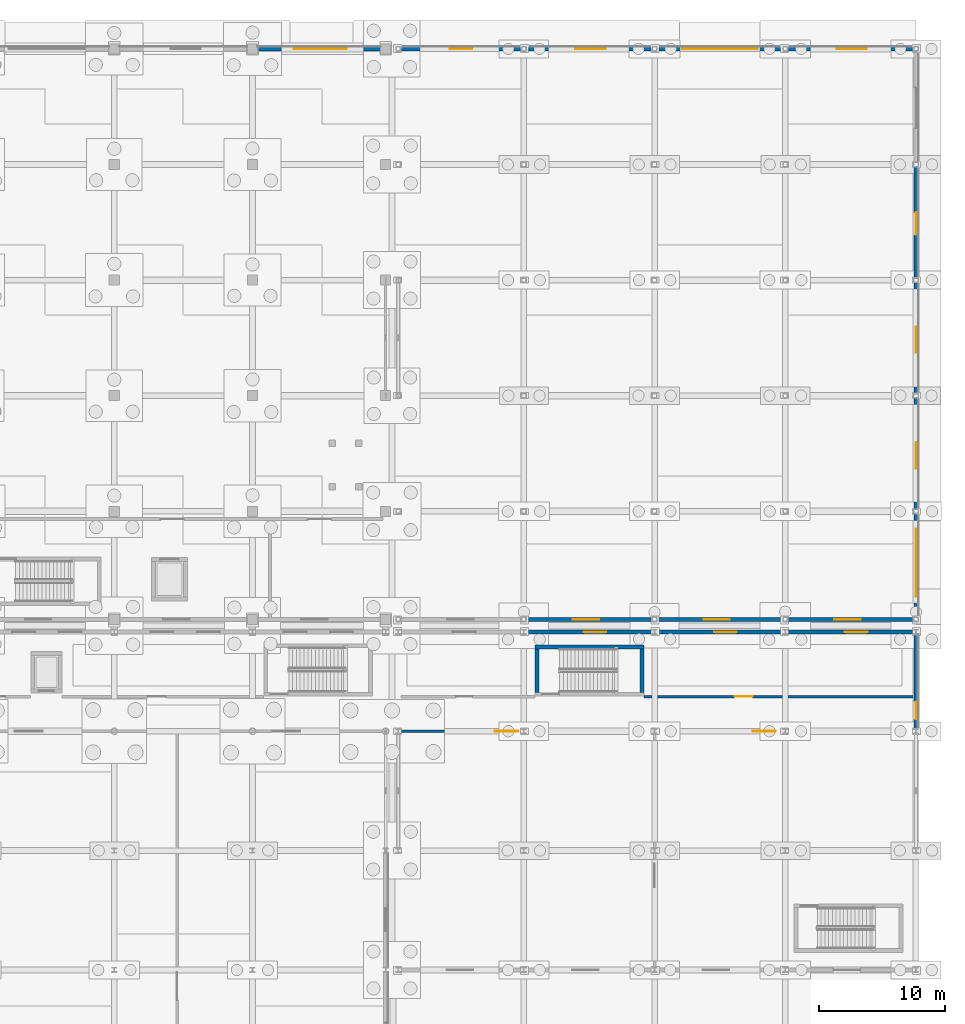
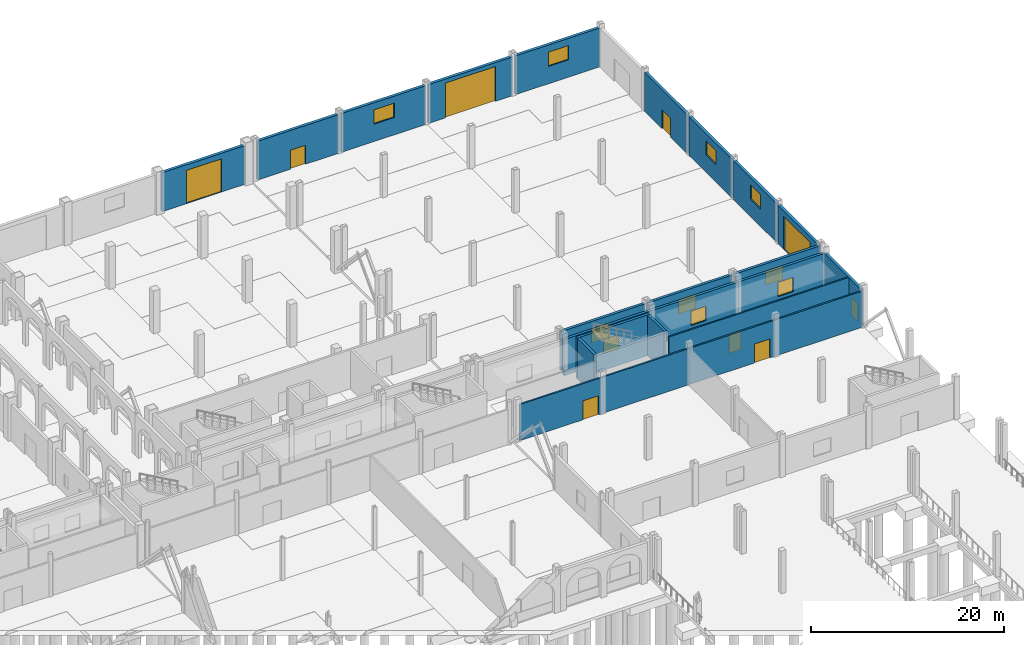
# One storey, part 62 of 83: 21 walls, 10 windows, 9 doors, 19 openings.
"""IFC4 building model written with IfcOpenShell, lengths in metres."""

from ifc_helpers import new_model, si_unit, direction, frame, frame_2d, origin, place, context, subcontext, project, spatial, rectangle, extrude, material, layer, layer_set, type_object, element, fill, save


model = new_model("IFC4")

# Units and contexts
model_context = context("Model", 3, precision=1e-05, world=origin(), true_north=direction((0.0, 1.0)))
body_context = subcontext(model_context, "Body", "Model", "MODEL_VIEW")
ifc_project = project(units=[si_unit("LENGTHUNIT", "METRE"), si_unit("AREAUNIT", "SQUARE_METRE"), si_unit("VOLUMEUNIT", "CUBIC_METRE"), si_unit("PLANEANGLEUNIT", "RADIAN"), si_unit("MASSUNIT", "GRAM", prefix="KILO")], contexts=[model_context])

# Site, building, storey
site_placement = place(None, origin())
site = spatial("IfcSite", under=ifc_project, at=site_placement, CompositionType="ELEMENT")
building_placement = place(site_placement, origin())
building = spatial("IfcBuilding", under=site, at=building_placement, Name="Caurita Quay Ferry Terminal", CompositionType="ELEMENT")
storey_placement = place(building_placement, origin())
storey = spatial("IfcBuildingStorey", under=building, at=storey_placement, Name="L00", CompositionType="ELEMENT", Elevation=0.0)

# Walls
ifc_material_1 = material(Name="Reinforced concrete C35/45", Category="concrete")
ifc_layer_1 = layer(ifc_material_1, 0.300048828125, Name="Interior shear wall 300 mm")
ifc_layer_set_1 = layer_set([ifc_layer_1], Name="Reinforced concrete C35/45")
wall_type_1 = type_object("IfcWallType", Name="WL-CORE-300", PredefinedType="SHEAR", material=ifc_layer_set_1)
wall_1_placement = place(storey_placement, frame((152.35009765625, 69.409912109375, 0.0), z_axis=(0.0, 0.0, 1.0), x_axis=(-1.0, 0.0, 0.0)))
element("IfcWall", 1, at=wall_1_placement, inside=storey, type_object=wall_type_1, Name="L00 ST-10 Core Wall North", PredefinedType="SHEAR", context=body_context, shape_type="SweptSolid", body=[
    extrude(rectangle(XDim=8.650146484375, YDim=0.300048828125, at=frame_2d((4.3251953125, 0.0))), origin(), (0.0, 0.0, 1.0), 5.1650390625),
])
for number, where, z_axis, x_axis, name in (
    (2, (143.85009765625, 69.260009765625, 0.0), (0.0, 0.0, 1.0), (0.0, -1.0, 0.0), "L00 ST-10 Core Wall West"),
    (3, (152.199951171875, 65.800048828125, 0.0), (0.0, 0.0, 1.0), (0.0, 1.0, 0.0), "L00 ST-10 Core Wall East"),
):
    element("IfcWall", number, at=place(storey_placement, frame(where, z_axis=z_axis, x_axis=x_axis)), inside=storey, type_object=wall_type_1, Name=name, PredefinedType="SHEAR", context=body_context, shape_type="SweptSolid", body=[
        extrude(rectangle(XDim=3.4599609375, YDim=0.300048828125, at=frame_2d((1.72998046875, 0.0))), origin(), (0.0, 0.0, 1.0), 5.1650390625),
    ])

# Wall, openings, doors
ifc_material_2 = material(Name="Warm-white lime stucco masonry", Category="masonry")
ifc_layer_2 = layer(ifc_material_2, 0.199951171875, Name="Interior partitioning wall 200 mm")
ifc_layer_set_2 = layer_set([ifc_layer_2], Name="Warm-white lime stucco masonry")
wall_type_2 = type_object("IfcWallType", Name="WL-CORR-200", PredefinedType="PARTITIONING", material=ifc_layer_set_2)
wall_2_placement = place(storey_placement, frame((132.990478515625, 62.699951171875, 0.0), z_axis=(0.0, 0.0, 1.0), x_axis=(1.0, 0.0, 0.0)))
wall_2 = element("IfcWall", 4, at=wall_2_placement, inside=storey, type_object=wall_type_2, Name="L00 Interior Partition IW-L00-016", PredefinedType="PARTITIONING", context=body_context, shape_type="SweptSolid", body=[
    extrude(rectangle(XDim=40.819091796875, YDim=0.199951171875, at=frame_2d((20.40966796875, 0.0))), origin(), (0.0, 0.0, 1.0), 4.55810546875),
])
opening_1_placement = place(wall_2_placement, frame((7.509521484375, 0.0, 0.0)))
opening_1 = element("IfcOpeningElement", 5, at=opening_1_placement, cuts=wall_2, Name="Opening PD-01", PredefinedType="OPENING", context=body_context, shape_type="SweptSolid", body=[
    extrude(rectangle(XDim=1.85009765625, YDim=2.39990234375, at=frame_2d((0.925048828125, 1.199951171875))), frame((0.0, 0.10986328125, 0.0), z_axis=(0.0, -1.0, 0.0), x_axis=(1.0, 0.0, 0.0)), (0.0, 0.0, 1.0), 0.219970703125),
])
opening_2_placement = place(wall_2_placement, frame((28.009521484375, 0.0, 0.0)))
opening_2 = element("IfcOpeningElement", 6, at=opening_2_placement, cuts=wall_2, Name="Opening PD-01", PredefinedType="OPENING", context=body_context, shape_type="SweptSolid", body=[
    extrude(rectangle(XDim=1.85009765625, YDim=2.39990234375, at=frame_2d((0.925048828125, 1.199951171875))), frame((0.0, 0.10986328125, 0.0), z_axis=(0.0, -1.0, 0.0), x_axis=(1.0, 0.0, 0.0)), (0.0, 0.0, 1.0), 0.219970703125),
])
ifc_material_3 = material(Name="Anodized aluminium 6063-T6", Category="aluminium")
door_type_1 = type_object("IfcDoorType", Name="DR-PL-1800", OperationType="NOTDEFINED", PredefinedType="DOOR", material=ifc_material_3)
door_1_placement = place(opening_1_placement, frame((1.85009765625, 0.0, 0.0), z_axis=(0.0, 0.0, 1.0), x_axis=(-1.0, 0.0, 0.0)))
door_1 = element("IfcDoor", 7, at=door_1_placement, inside=storey, type_object=door_type_1, Name="Berth Transfer Corridor Door", OperationType="SINGLE_SWING_RIGHT", OverallHeight=2.39990234375, OverallWidth=1.85009765625, PredefinedType="DOOR", context=body_context, shape_type="SweptSolid", body=[
    extrude(rectangle(XDim=1.85009765625, YDim=2.39990234375, at=frame_2d((0.925048828125, 1.199951171875))), frame((0.0, 0.02490234375, 0.0), z_axis=(0.0, -1.0, 0.0), x_axis=(1.0, 0.0, 0.0)), (0.0, 0.0, 1.0), 0.050048828125),
])
fill(opening_1, door_1)
door_2_placement = place(opening_2_placement, origin())
door_2 = element("IfcDoor", 8, at=door_2_placement, inside=storey, type_object=door_type_1, Name="Crew Muster Corridor Door", OperationType="SINGLE_SWING_LEFT", OverallHeight=2.39990234375, OverallWidth=1.85009765625, PredefinedType="DOOR", context=body_context, shape_type="SweptSolid", body=[
    extrude(rectangle(XDim=1.85009765625, YDim=2.39990234375, at=frame_2d((0.925048828125, 1.199951171875))), frame((0.0, 0.02490234375, 0.0), z_axis=(0.0, -1.0, 0.0), x_axis=(1.0, 0.0, 0.0)), (0.0, 0.0, 1.0), 0.050048828125),
])
fill(opening_2, door_2)

# Wall, opening, door
ifc_layer_3 = layer(ifc_material_2, 0.31005859375, Name="Exterior solidwall wall 310 mm")
ifc_layer_set_3 = layer_set([ifc_layer_3], Name="Warm-white lime stucco masonry")
wall_type_3 = type_object("IfcWallType", Name="WL-EXT-310", PredefinedType="SOLIDWALL", material=ifc_layer_set_3)
wall_3_placement = place(storey_placement, frame((174.0, 62.879638671875, 0.0), z_axis=(0.0, 0.0, 1.0), x_axis=(0.0, 1.0, 0.0)))
wall_3 = element("IfcWall", 9, at=wall_3_placement, inside=storey, type_object=wall_type_3, Name="L00 Exterior Wall EW-L00-165", PredefinedType="SOLIDWALL", context=body_context, shape_type="SweptSolid", body=[
    extrude(rectangle(XDim=7.540771484375, YDim=0.31005859375, at=frame_2d((3.7705078125, 0.0))), origin(), (0.0, 0.0, 1.0), 4.62158203125),
])
opening_3_placement = place(wall_3_placement, frame((0.7705078125, 0.0, 0.0)))
opening_3 = element("IfcOpeningElement", 10, at=opening_3_placement, cuts=wall_3, Name="Opening ED-05", PredefinedType="OPENING", context=body_context, shape_type="SweptSolid", body=[
    extrude(rectangle(XDim=1.39990234375, YDim=2.25, at=frame_2d((0.699951171875, 1.125))), frame((0.0, 0.1650390625, 0.0), z_axis=(0.0, -1.0, 0.0), x_axis=(1.0, 0.0, 0.0)), (0.0, 0.0, 1.0), 0.330078125),
])
ifc_material_4 = material(Name="Tropical mahogany hardwood", Category="wood")
door_type_2 = type_object("IfcDoorType", Name="DR-EXT-1422", OperationType="NOTDEFINED", PredefinedType="DOOR", material=ifc_material_4)
door_3_placement = place(opening_3_placement, frame((1.39990234375, 0.0, 0.0), z_axis=(0.0, 0.0, 1.0), x_axis=(-1.0, 0.0, 0.0)))
door_3 = element("IfcDoor", 11, at=door_3_placement, inside=storey, type_object=door_type_2, Name="Berth Transfer East Final Exit Door ED-BTE", OperationType="SINGLE_SWING_RIGHT", OverallHeight=2.25, OverallWidth=1.39990234375, PredefinedType="DOOR", context=body_context, shape_type="SweptSolid", body=[
    extrude(rectangle(XDim=1.39990234375, YDim=2.25, at=frame_2d((0.699951171875, 1.125))), frame((0.0, 0.02490234375, 0.0), z_axis=(0.0, -1.0, 0.0), x_axis=(1.0, 0.0, 0.0)), (0.0, 0.0, 1.0), 0.050048828125),
])
fill(opening_3, door_3)

# Wall, opening, window
wall_4_placement = place(storey_placement, frame((153.1953125, 70.60009765625, 0.0), z_axis=(0.0, 0.0, 1.0), x_axis=(-1.0, 0.0, 0.0)))
wall_4 = element("IfcWall", 12, at=wall_4_placement, inside=storey, type_object=wall_type_3, Name="L00 Exterior Wall EW-L00-209", PredefinedType="SOLIDWALL", context=body_context, shape_type="SweptSolid", body=[
    extrude(rectangle(XDim=10.390625, YDim=0.31005859375, at=frame_2d((5.1953125, 0.0))), origin(), (0.0, 0.0, 1.0), 4.55810546875),
])
opening_4_placement = place(wall_4_placement, frame((3.84521484375, 0.0, 1.050048828125)))
opening_4 = element("IfcOpeningElement", 13, at=opening_4_placement, cuts=wall_4, Name="Opening W-09", PredefinedType="OPENING", context=body_context, shape_type="SweptSolid", body=[
    extrude(rectangle(XDim=1.800048828125, YDim=1.800048828125, at=frame_2d((0.89990234375, 0.89990234375))), frame((0.0, 0.1650390625, 0.0), z_axis=(0.0, -1.0, 0.0), x_axis=(1.0, 0.0, 0.0)), (0.0, 0.0, 1.0), 0.330078125),
])
ifc_material_5 = material(Name="Laminated solar-control insulated glass", Category="glass")
window_type_1 = type_object("IfcWindowType", Name="WIN-SC-1818", PartitioningType="SINGLE_PANEL", PredefinedType="WINDOW", material=ifc_material_5)
window_1_placement = place(opening_4_placement, origin())
window_1 = element("IfcWindow", 14, at=window_1_placement, inside=storey, type_object=window_type_1, Name="L00 Casement Window WN-L00-315", OverallHeight=1.800048828125, OverallWidth=1.800048828125, PartitioningType="SINGLE_PANEL", PredefinedType="WINDOW", context=body_context, shape_type="SweptSolid", body=[
    extrude(rectangle(XDim=1.800048828125, YDim=1.800048828125, at=frame_2d((0.89990234375, 0.89990234375))), frame((0.0, 0.030029296875, 0.0), z_axis=(0.0, -1.0, 0.0), x_axis=(1.0, 0.0, 0.0)), (0.0, 0.0, 1.0), 0.06005859375),
])
fill(opening_4, window_1)

wall_5_placement = place(storey_placement, frame((163.59521484375, 70.60009765625, 0.0), z_axis=(0.0, 0.0, 1.0), x_axis=(-1.0, 0.0, 0.0)))
wall_5 = element("IfcWall", 15, at=wall_5_placement, inside=storey, type_object=wall_type_3, Name="L00 Exterior Wall EW-L00-212", PredefinedType="SOLIDWALL", context=body_context, shape_type="SweptSolid", body=[
    extrude(rectangle(XDim=10.390625, YDim=0.31005859375, at=frame_2d((5.1953125, 0.0))), origin(), (0.0, 0.0, 1.0), 4.55810546875),
])
opening_5_placement = place(wall_5_placement, frame((3.84521484375, 0.0, 1.050048828125)))
opening_5 = element("IfcOpeningElement", 16, at=opening_5_placement, cuts=wall_5, Name="Opening W-09", PredefinedType="OPENING", context=body_context, shape_type="SweptSolid", body=[
    extrude(rectangle(XDim=1.800048828125, YDim=1.800048828125, at=frame_2d((0.89990234375, 0.89990234375))), frame((0.0, 0.1650390625, 0.0), z_axis=(0.0, -1.0, 0.0), x_axis=(1.0, 0.0, 0.0)), (0.0, 0.0, 1.0), 0.330078125),
])
window_2_placement = place(opening_5_placement, origin())
window_2 = element("IfcWindow", 17, at=window_2_placement, inside=storey, type_object=window_type_1, Name="L00 Casement Window WN-L00-318", OverallHeight=1.800048828125, OverallWidth=1.800048828125, PartitioningType="SINGLE_PANEL", PredefinedType="WINDOW", context=body_context, shape_type="SweptSolid", body=[
    extrude(rectangle(XDim=1.800048828125, YDim=1.800048828125, at=frame_2d((0.89990234375, 0.89990234375))), frame((0.0, 0.030029296875, 0.0), z_axis=(0.0, -1.0, 0.0), x_axis=(1.0, 0.0, 0.0)), (0.0, 0.0, 1.0), 0.06005859375),
])
fill(opening_5, window_2)

wall_6_placement = place(storey_placement, frame((173.995361328125, 70.60009765625, 0.0), z_axis=(0.0, 0.0, 1.0), x_axis=(-1.0, 0.0, 0.0)))
wall_6 = element("IfcWall", 18, at=wall_6_placement, inside=storey, type_object=wall_type_3, Name="L00 Exterior Wall EW-L00-215", PredefinedType="SOLIDWALL", context=body_context, shape_type="SweptSolid", body=[
    extrude(rectangle(XDim=10.390869140625, YDim=0.31005859375, at=frame_2d((5.1953125, 0.0))), origin(), (0.0, 0.0, 1.0), 4.55810546875),
])
opening_6_placement = place(wall_6_placement, frame((3.84521484375, 0.0, 1.050048828125)))
opening_6 = element("IfcOpeningElement", 19, at=opening_6_placement, cuts=wall_6, Name="Opening W-09", PredefinedType="OPENING", context=body_context, shape_type="SweptSolid", body=[
    extrude(rectangle(XDim=1.800048828125, YDim=1.800048828125, at=frame_2d((0.89990234375, 0.89990234375))), frame((0.0, 0.1650390625, 0.0), z_axis=(0.0, -1.0, 0.0), x_axis=(1.0, 0.0, 0.0)), (0.0, 0.0, 1.0), 0.330078125),
])
window_3_placement = place(opening_6_placement, origin())
window_3 = element("IfcWindow", 20, at=window_3_placement, inside=storey, type_object=window_type_1, Name="L00 Casement Window WN-L00-320", OverallHeight=1.800048828125, OverallWidth=1.800048828125, PartitioningType="SINGLE_PANEL", PredefinedType="WINDOW", context=body_context, shape_type="SweptSolid", body=[
    extrude(rectangle(XDim=1.800048828125, YDim=1.800048828125, at=frame_2d((0.89990234375, 0.89990234375))), frame((0.0, 0.030029296875, 0.0), z_axis=(0.0, -1.0, 0.0), x_axis=(1.0, 0.0, 0.0)), (0.0, 0.0, 1.0), 0.06005859375),
])
fill(opening_6, window_3)

wall_7_placement = place(storey_placement, frame((142.97607421875, 71.60009765625, 0.0), z_axis=(0.0, 0.0, 1.0), x_axis=(1.0, 0.0, 0.0)))
wall_7 = element("IfcWall", 21, at=wall_7_placement, inside=storey, type_object=wall_type_3, Name="L00 Exterior Wall EW-L00-250", PredefinedType="SOLIDWALL", context=body_context, shape_type="SweptSolid", body=[
    extrude(rectangle(XDim=10.0478515625, YDim=0.31005859375, at=frame_2d((5.02392578125, 0.0))), origin(), (0.0, 0.0, 1.0), 4.897705078125),
])
opening_7_placement = place(wall_7_placement, frame((3.72412109375, 0.0, 2.10009765625)))
opening_7 = element("IfcOpeningElement", 22, at=opening_7_placement, cuts=wall_7, Name="Opening W-11", PredefinedType="OPENING", context=body_context, shape_type="SweptSolid", body=[
    extrude(rectangle(XDim=2.10009765625, YDim=1.800048828125, at=frame_2d((1.050048828125, 0.89990234375))), frame((0.0, 0.1650390625, 0.0), z_axis=(0.0, -1.0, 0.0), x_axis=(1.0, 0.0, 0.0)), (0.0, 0.0, 1.0), 0.330078125),
])
window_type_2 = type_object("IfcWindowType", Name="WIN-SC-2118", PartitioningType="SINGLE_PANEL", PredefinedType="WINDOW", material=ifc_material_5)
window_4_placement = place(opening_7_placement, origin())
window_4 = element("IfcWindow", 23, at=window_4_placement, inside=storey, type_object=window_type_2, Name="L00 Casement Window WN-L00-345", OverallHeight=1.800048828125, OverallWidth=2.10009765625, PartitioningType="SINGLE_PANEL", PredefinedType="WINDOW", context=body_context, shape_type="SweptSolid", body=[
    extrude(rectangle(XDim=2.10009765625, YDim=1.800048828125, at=frame_2d((1.050048828125, 0.89990234375))), frame((0.0, 0.030029296875, 0.0), z_axis=(0.0, -1.0, 0.0), x_axis=(1.0, 0.0, 0.0)), (0.0, 0.0, 1.0), 0.06005859375),
])
fill(opening_7, window_4)

wall_8_placement = place(storey_placement, frame((153.3759765625, 71.60009765625, 0.0), z_axis=(0.0, 0.0, 1.0), x_axis=(1.0, 0.0, 0.0)))
wall_8 = element("IfcWall", 24, at=wall_8_placement, inside=storey, type_object=wall_type_3, Name="L00 Exterior Wall EW-L00-251", PredefinedType="SOLIDWALL", context=body_context, shape_type="SweptSolid", body=[
    extrude(rectangle(XDim=10.048095703125, YDim=0.31005859375, at=frame_2d((5.02392578125, 0.0))), origin(), (0.0, 0.0, 1.0), 4.897705078125),
])
opening_8_placement = place(wall_8_placement, frame((3.72412109375, 0.0, 2.10009765625)))
opening_8 = element("IfcOpeningElement", 25, at=opening_8_placement, cuts=wall_8, Name="Opening W-11", PredefinedType="OPENING", context=body_context, shape_type="SweptSolid", body=[
    extrude(rectangle(XDim=2.10009765625, YDim=1.800048828125, at=frame_2d((1.050048828125, 0.89990234375))), frame((0.0, 0.1650390625, 0.0), z_axis=(0.0, -1.0, 0.0), x_axis=(1.0, 0.0, 0.0)), (0.0, 0.0, 1.0), 0.330078125),
])
window_5_placement = place(opening_8_placement, origin())
window_5 = element("IfcWindow", 26, at=window_5_placement, inside=storey, type_object=window_type_2, Name="L00 Casement Window WN-L00-346", OverallHeight=1.800048828125, OverallWidth=2.10009765625, PartitioningType="SINGLE_PANEL", PredefinedType="WINDOW", context=body_context, shape_type="SweptSolid", body=[
    extrude(rectangle(XDim=2.10009765625, YDim=1.800048828125, at=frame_2d((1.050048828125, 0.89990234375))), frame((0.0, 0.030029296875, 0.0), z_axis=(0.0, -1.0, 0.0), x_axis=(1.0, 0.0, 0.0)), (0.0, 0.0, 1.0), 0.06005859375),
])
fill(opening_8, window_5)

wall_9_placement = place(storey_placement, frame((163.77587890625, 71.60009765625, 0.0), z_axis=(0.0, 0.0, 1.0), x_axis=(1.0, 0.0, 0.0)))
wall_9 = element("IfcWall", 27, at=wall_9_placement, inside=storey, type_object=wall_type_3, Name="L00 Exterior Wall EW-L00-252", PredefinedType="SOLIDWALL", context=body_context, shape_type="SweptSolid", body=[
    extrude(rectangle(XDim=10.048095703125, YDim=0.31005859375, at=frame_2d((5.02392578125, 0.0))), origin(), (0.0, 0.0, 1.0), 4.897705078125),
])
opening_9_placement = place(wall_9_placement, frame((3.72412109375, 0.0, 2.10009765625)))
opening_9 = element("IfcOpeningElement", 28, at=opening_9_placement, cuts=wall_9, Name="Opening W-11", PredefinedType="OPENING", context=body_context, shape_type="SweptSolid", body=[
    extrude(rectangle(XDim=2.10009765625, YDim=1.800048828125, at=frame_2d((1.050048828125, 0.89990234375))), frame((0.0, 0.1650390625, 0.0), z_axis=(0.0, -1.0, 0.0), x_axis=(1.0, 0.0, 0.0)), (0.0, 0.0, 1.0), 0.330078125),
])
window_6_placement = place(opening_9_placement, origin())
window_6 = element("IfcWindow", 29, at=window_6_placement, inside=storey, type_object=window_type_2, Name="L00 Casement Window WN-L00-347", OverallHeight=1.800048828125, OverallWidth=2.10009765625, PartitioningType="SINGLE_PANEL", PredefinedType="WINDOW", context=body_context, shape_type="SweptSolid", body=[
    extrude(rectangle(XDim=2.10009765625, YDim=1.800048828125, at=frame_2d((1.050048828125, 0.89990234375))), frame((0.0, 0.030029296875, 0.0), z_axis=(0.0, -1.0, 0.0), x_axis=(1.0, 0.0, 0.0)), (0.0, 0.0, 1.0), 0.06005859375),
])
fill(opening_9, window_6)

# Wall, opening, door
ifc_layer_4 = layer(ifc_material_2, 0.340087890625, Name="Exterior solidwall wall 340 mm")
ifc_layer_set_4 = layer_set([ifc_layer_4], Name="Warm-white lime stucco masonry")
wall_type_4 = type_object("IfcWallType", Name="WL-EXT-340", PredefinedType="SOLIDWALL", material=ifc_layer_set_4)
wall_10_placement = place(storey_placement, frame((131.402099609375, 117.0, 0.0), z_axis=(0.0, 0.0, 1.0), x_axis=(-1.0, 0.0, 0.0)))
wall_10 = element("IfcWall", 30, at=wall_10_placement, inside=storey, type_object=wall_type_4, Name="L00 Exterior Wall EW-L00-224", PredefinedType="SOLIDWALL", context=body_context, shape_type="SweptSolid", body=[
    extrude(rectangle(XDim=9.80419921875, YDim=0.340087890625, at=frame_2d((4.902099609375, 0.0))), origin(), (0.0, 0.0, 1.0), 4.90771484375),
])
opening_10_placement = place(wall_10_placement, frame((2.701904296875, 0.0, 0.0)))
opening_10 = element("IfcOpeningElement", 31, at=opening_10_placement, cuts=wall_10, Name="Opening VG-03", PredefinedType="OPENING", context=body_context, shape_type="SweptSolid", body=[
    extrude(rectangle(XDim=4.199951171875, YDim=4.199951171875, at=frame_2d((2.10009765625, 2.10009765625))), frame((0.0, 0.179931640625, 0.0), z_axis=(0.0, -1.0, 0.0), x_axis=(1.0, 0.0, 0.0)), (0.0, 0.0, 1.0), 0.360107421875),
])
ifc_material_6 = material(Name="Bronze architectural metalwork", Category="metal")
door_type_3 = type_object("IfcDoorType", Name="GT-FRT-4242", OperationType="ROLLINGUP", PredefinedType="GATE", material=ifc_material_6)
door_4_placement = place(opening_10_placement, frame((4.199951171875, 0.0, 0.0), z_axis=(0.0, 0.0, 1.0), x_axis=(-1.0, 0.0, 0.0)))
door_4 = element("IfcDoor", 32, at=door_4_placement, inside=storey, type_object=door_type_3, Name="Freight Loading Dock Gate VG-04", OperationType="ROLLINGUP", OverallHeight=4.199951171875, OverallWidth=4.199951171875, PredefinedType="GATE", context=body_context, shape_type="SweptSolid", body=[
    extrude(rectangle(XDim=4.199951171875, YDim=4.199951171875, at=frame_2d((2.10009765625, 2.10009765625))), frame((0.0, 0.02490234375, 0.0), z_axis=(0.0, -1.0, 0.0), x_axis=(1.0, 0.0, 0.0)), (0.0, 0.0, 1.0), 0.050048828125),
])
fill(opening_10, door_4)

wall_11_placement = place(storey_placement, frame((142.6240234375, 117.0, 0.0), z_axis=(0.0, 0.0, 1.0), x_axis=(-1.0, 0.0, 0.0)))
wall_11 = element("IfcWall", 33, at=wall_11_placement, inside=storey, type_object=wall_type_4, Name="L00 Exterior Wall EW-L00-226", PredefinedType="SOLIDWALL", context=body_context, shape_type="SweptSolid", body=[
    extrude(rectangle(XDim=9.64794921875, YDim=0.340087890625, at=frame_2d((4.823974609375, 0.0))), origin(), (0.0, 0.0, 1.0), 4.897705078125),
])
opening_11_placement = place(wall_11_placement, frame((3.924072265625, 0.0, 0.0)))
opening_11 = element("IfcOpeningElement", 34, at=opening_11_placement, cuts=wall_11, Name="Opening ED-03", PredefinedType="OPENING", context=body_context, shape_type="SweptSolid", body=[
    extrude(rectangle(XDim=1.800048828125, YDim=2.39990234375, at=frame_2d((0.89990234375, 1.199951171875))), frame((0.0, 0.179931640625, 0.0), z_axis=(0.0, -1.0, 0.0), x_axis=(1.0, 0.0, 0.0)), (0.0, 0.0, 1.0), 0.360107421875),
])
door_type_4 = type_object("IfcDoorType", Name="DR-EXT-1824", OperationType="NOTDEFINED", PredefinedType="DOOR", material=ifc_material_3)
door_5_placement = place(opening_11_placement, frame((1.800048828125, 0.0, 0.0), z_axis=(0.0, 0.0, 1.0), x_axis=(-1.0, 0.0, 0.0)))
door_5 = element("IfcDoor", 35, at=door_5_placement, inside=storey, type_object=door_type_4, Name="North Concourse Pedestrian Door ED-M1", OperationType="SINGLE_SWING_RIGHT", OverallHeight=2.39990234375, OverallWidth=1.800048828125, PredefinedType="DOOR", context=body_context, shape_type="SweptSolid", body=[
    extrude(rectangle(XDim=1.800048828125, YDim=2.39990234375, at=frame_2d((0.89990234375, 1.199951171875))), frame((0.0, 0.02490234375, 0.0), z_axis=(0.0, -1.0, 0.0), x_axis=(1.0, 0.0, 0.0)), (0.0, 0.0, 1.0), 0.050048828125),
])
fill(opening_11, door_5)

# Wall, opening, window
wall_12_placement = place(storey_placement, frame((153.02392578125, 117.0, 0.0), z_axis=(0.0, 0.0, 1.0), x_axis=(-1.0, 0.0, 0.0)))
wall_12 = element("IfcWall", 36, at=wall_12_placement, inside=storey, type_object=wall_type_4, Name="L00 Exterior Wall EW-L00-227", PredefinedType="SOLIDWALL", context=body_context, shape_type="SweptSolid", body=[
    extrude(rectangle(XDim=10.0478515625, YDim=0.340087890625, at=frame_2d((5.02392578125, 0.0))), origin(), (0.0, 0.0, 1.0), 4.897705078125),
])
opening_12_placement = place(wall_12_placement, frame((3.72412109375, 0.0, 2.199951171875)))
opening_12 = element("IfcOpeningElement", 37, at=opening_12_placement, cuts=wall_12, Name="Opening W-13", PredefinedType="OPENING", context=body_context, shape_type="SweptSolid", body=[
    extrude(rectangle(XDim=2.39990234375, YDim=1.800048828125, at=frame_2d((1.199951171875, 0.89990234375))), frame((0.0, 0.179931640625, 0.0), z_axis=(0.0, -1.0, 0.0), x_axis=(1.0, 0.0, 0.0)), (0.0, 0.0, 1.0), 0.360107421875),
])
window_type_3 = type_object("IfcWindowType", Name="WIN-SC-2418", PartitioningType="SINGLE_PANEL", PredefinedType="WINDOW", material=ifc_material_5)
window_7_placement = place(opening_12_placement, origin())
window_7 = element("IfcWindow", 38, at=window_7_placement, inside=storey, type_object=window_type_3, Name="L00 Casement Window WN-L00-329", OverallHeight=1.800048828125, OverallWidth=2.39990234375, PartitioningType="SINGLE_PANEL", PredefinedType="WINDOW", context=body_context, shape_type="SweptSolid", body=[
    extrude(rectangle(XDim=2.39990234375, YDim=1.800048828125, at=frame_2d((1.199951171875, 0.89990234375))), frame((0.0, 0.030029296875, 0.0), z_axis=(0.0, -1.0, 0.0), x_axis=(1.0, 0.0, 0.0)), (0.0, 0.0, 1.0), 0.06005859375),
])
fill(opening_12, window_7)

# Wall, opening, door
wall_13_placement = place(storey_placement, frame((163.424072265625, 117.0, 0.0), z_axis=(0.0, 0.0, 1.0), x_axis=(-1.0, 0.0, 0.0)))
wall_13 = element("IfcWall", 39, at=wall_13_placement, inside=storey, type_object=wall_type_4, Name="L00 Exterior Wall EW-L00-228", PredefinedType="SOLIDWALL", context=body_context, shape_type="SweptSolid", body=[
    extrude(rectangle(XDim=10.048095703125, YDim=0.340087890625, at=frame_2d((5.02392578125, 0.0))), origin(), (0.0, 0.0, 1.0), 4.897705078125),
])
opening_13_placement = place(wall_13_placement, frame((2.02392578125, 0.0, 0.0)))
opening_13 = element("IfcOpeningElement", 40, at=opening_13_placement, cuts=wall_13, Name="Opening VG-01", PredefinedType="OPENING", context=body_context, shape_type="SweptSolid", body=[
    extrude(rectangle(XDim=6.0, YDim=4.39990234375, at=frame_2d((3.0, 2.199951171875))), frame((0.0, 0.179931640625, 0.0), z_axis=(0.0, -1.0, 0.0), x_axis=(1.0, 0.0, 0.0)), (0.0, 0.0, 1.0), 0.360107421875),
])
door_type_5 = type_object("IfcDoorType", Name="GT-VEH-6044", OperationType="ROLLINGUP", PredefinedType="GATE", material=ifc_material_6)
door_6_placement = place(opening_13_placement, frame((6.0, 0.0, 0.0), z_axis=(0.0, 0.0, 1.0), x_axis=(-1.0, 0.0, 0.0)))
door_6 = element("IfcDoor", 41, at=door_6_placement, inside=storey, type_object=door_type_5, Name="Ro-Ro Street Exit Gate VG-03", OperationType="ROLLINGUP", OverallHeight=4.39990234375, OverallWidth=6.0, PredefinedType="GATE", context=body_context, shape_type="SweptSolid", body=[
    extrude(rectangle(XDim=6.0, YDim=4.39990234375, at=frame_2d((3.0, 2.199951171875))), frame((0.0, 0.02490234375, 0.0), z_axis=(0.0, -1.0, 0.0), x_axis=(1.0, 0.0, 0.0)), (0.0, 0.0, 1.0), 0.050048828125),
])
fill(opening_13, door_6)

# Wall, opening, window
wall_14_placement = place(storey_placement, frame((173.823974609375, 117.0, 0.0), z_axis=(0.0, 0.0, 1.0), x_axis=(-1.0, 0.0, 0.0)))
wall_14 = element("IfcWall", 42, at=wall_14_placement, inside=storey, type_object=wall_type_4, Name="L00 Exterior Wall EW-L00-229", PredefinedType="SOLIDWALL", context=body_context, shape_type="SweptSolid", body=[
    extrude(rectangle(XDim=10.048095703125, YDim=0.340087890625, at=frame_2d((5.02392578125, 0.0))), origin(), (0.0, 0.0, 1.0), 4.897705078125),
])
opening_14_placement = place(wall_14_placement, frame((3.72412109375, 0.0, 2.199951171875)))
opening_14 = element("IfcOpeningElement", 43, at=opening_14_placement, cuts=wall_14, Name="Opening W-13", PredefinedType="OPENING", context=body_context, shape_type="SweptSolid", body=[
    extrude(rectangle(XDim=2.39990234375, YDim=1.800048828125, at=frame_2d((1.199951171875, 0.89990234375))), frame((0.0, 0.179931640625, 0.0), z_axis=(0.0, -1.0, 0.0), x_axis=(1.0, 0.0, 0.0)), (0.0, 0.0, 1.0), 0.360107421875),
])
window_8_placement = place(opening_14_placement, origin())
window_8 = element("IfcWindow", 44, at=window_8_placement, inside=storey, type_object=window_type_3, Name="L00 Casement Window WN-L00-330", OverallHeight=1.800048828125, OverallWidth=2.39990234375, PartitioningType="SINGLE_PANEL", PredefinedType="WINDOW", context=body_context, shape_type="SweptSolid", body=[
    extrude(rectangle(XDim=2.39990234375, YDim=1.800048828125, at=frame_2d((1.199951171875, 0.89990234375))), frame((0.0, 0.030029296875, 0.0), z_axis=(0.0, -1.0, 0.0), x_axis=(1.0, 0.0, 0.0)), (0.0, 0.0, 1.0), 0.06005859375),
])
fill(opening_14, window_8)

# Wall, opening, door
wall_15_placement = place(storey_placement, frame((174.0, 71.77587890625, 0.0), z_axis=(0.0, 0.0, 1.0), x_axis=(0.0, 1.0, 0.0)))
wall_15 = element("IfcWall", 45, at=wall_15_placement, inside=storey, type_object=wall_type_4, Name="L00 Exterior Wall EW-L00-230", PredefinedType="SOLIDWALL", context=body_context, shape_type="SweptSolid", body=[
    extrude(rectangle(XDim=8.248046875, YDim=0.340087890625, at=frame_2d((4.1240234375, 0.0))), origin(), (0.0, 0.0, 1.0), 4.897705078125),
])
opening_15_placement = place(wall_15_placement, frame((1.6240234375, 0.0, 0.0)))
opening_15 = element("IfcOpeningElement", 46, at=opening_15_placement, cuts=wall_15, Name="Opening VG-02", PredefinedType="OPENING", context=body_context, shape_type="SweptSolid", body=[
    extrude(rectangle(XDim=5.39990234375, YDim=4.199951171875, at=frame_2d((2.699951171875, 2.10009765625))), frame((0.0, 0.179931640625, 0.0), z_axis=(0.0, -1.0, 0.0), x_axis=(1.0, 0.0, 0.0)), (0.0, 0.0, 1.0), 0.360107421875),
])
door_type_6 = type_object("IfcDoorType", Name="GT-VEH-5442", OperationType="ROLLINGUP", PredefinedType="GATE", material=ifc_material_6)
door_7_placement = place(opening_15_placement, frame((5.39990234375, 0.0, 0.0), z_axis=(0.0, 0.0, 1.0), x_axis=(-1.0, 0.0, 0.0)))
door_7 = element("IfcDoor", 47, at=door_7_placement, inside=storey, type_object=door_type_6, Name="Berth Ro-Ro Linkspan Gate VG-02", OperationType="ROLLINGUP", OverallHeight=4.199951171875, OverallWidth=5.39990234375, PredefinedType="GATE", context=body_context, shape_type="SweptSolid", body=[
    extrude(rectangle(XDim=5.39990234375, YDim=4.199951171875, at=frame_2d((2.699951171875, 2.10009765625))), frame((0.0, 0.02490234375, 0.0), z_axis=(0.0, -1.0, 0.0), x_axis=(1.0, 0.0, 0.0)), (0.0, 0.0, 1.0), 0.050048828125),
])
fill(opening_15, door_7)

# Wall, opening, window
wall_16_placement = place(storey_placement, frame((174.0, 80.3759765625, 0.0), z_axis=(0.0, 0.0, 1.0), x_axis=(0.0, 1.0, 0.0)))
wall_16 = element("IfcWall", 48, at=wall_16_placement, inside=storey, type_object=wall_type_4, Name="L00 Exterior Wall EW-L00-231", PredefinedType="SOLIDWALL", context=body_context, shape_type="SweptSolid", body=[
    extrude(rectangle(XDim=8.84814453125, YDim=0.340087890625, at=frame_2d((4.424072265625, 0.0))), origin(), (0.0, 0.0, 1.0), 4.897705078125),
])
opening_16_placement = place(wall_16_placement, frame((3.22412109375, 0.0, 2.199951171875)))
opening_16 = element("IfcOpeningElement", 49, at=opening_16_placement, cuts=wall_16, Name="Opening W-11", PredefinedType="OPENING", context=body_context, shape_type="SweptSolid", body=[
    extrude(rectangle(XDim=2.10009765625, YDim=1.800048828125, at=frame_2d((1.050048828125, 0.89990234375))), frame((0.0, 0.179931640625, 0.0), z_axis=(0.0, -1.0, 0.0), x_axis=(1.0, 0.0, 0.0)), (0.0, 0.0, 1.0), 0.360107421875),
])
window_9_placement = place(opening_16_placement, origin())
window_9 = element("IfcWindow", 50, at=window_9_placement, inside=storey, type_object=window_type_2, Name="L00 Casement Window WN-L00-331", OverallHeight=1.800048828125, OverallWidth=2.10009765625, PartitioningType="SINGLE_PANEL", PredefinedType="WINDOW", context=body_context, shape_type="SweptSolid", body=[
    extrude(rectangle(XDim=2.10009765625, YDim=1.800048828125, at=frame_2d((1.050048828125, 0.89990234375))), frame((0.0, 0.030029296875, 0.0), z_axis=(0.0, -1.0, 0.0), x_axis=(1.0, 0.0, 0.0)), (0.0, 0.0, 1.0), 0.06005859375),
])
fill(opening_16, window_9)

wall_17_placement = place(storey_placement, frame((174.0, 89.575927734375, 0.0), z_axis=(0.0, 0.0, 1.0), x_axis=(0.0, 1.0, 0.0)))
wall_17 = element("IfcWall", 51, at=wall_17_placement, inside=storey, type_object=wall_type_4, Name="L00 Exterior Wall EW-L00-232", PredefinedType="SOLIDWALL", context=body_context, shape_type="SweptSolid", body=[
    extrude(rectangle(XDim=8.84814453125, YDim=0.340087890625, at=frame_2d((4.424072265625, 0.0))), origin(), (0.0, 0.0, 1.0), 4.897705078125),
])
opening_17_placement = place(wall_17_placement, frame((3.22412109375, 0.0, 2.199951171875)))
opening_17 = element("IfcOpeningElement", 52, at=opening_17_placement, cuts=wall_17, Name="Opening W-11", PredefinedType="OPENING", context=body_context, shape_type="SweptSolid", body=[
    extrude(rectangle(XDim=2.10009765625, YDim=1.800048828125, at=frame_2d((1.050048828125, 0.89990234375))), frame((0.0, 0.179931640625, 0.0), z_axis=(0.0, -1.0, 0.0), x_axis=(1.0, 0.0, 0.0)), (0.0, 0.0, 1.0), 0.360107421875),
])
window_10_placement = place(opening_17_placement, origin())
window_10 = element("IfcWindow", 53, at=window_10_placement, inside=storey, type_object=window_type_2, Name="L00 Casement Window WN-L00-332", OverallHeight=1.800048828125, OverallWidth=2.10009765625, PartitioningType="SINGLE_PANEL", PredefinedType="WINDOW", context=body_context, shape_type="SweptSolid", body=[
    extrude(rectangle(XDim=2.10009765625, YDim=1.800048828125, at=frame_2d((1.050048828125, 0.89990234375))), frame((0.0, 0.030029296875, 0.0), z_axis=(0.0, -1.0, 0.0), x_axis=(1.0, 0.0, 0.0)), (0.0, 0.0, 1.0), 0.06005859375),
])
fill(opening_17, window_10)

# Wall, opening, door
wall_18_placement = place(storey_placement, frame((174.0, 98.77587890625, 0.0), z_axis=(0.0, 0.0, 1.0), x_axis=(0.0, 1.0, 0.0)))
wall_18 = element("IfcWall", 54, at=wall_18_placement, inside=storey, type_object=wall_type_4, Name="L00 Exterior Wall EW-L00-233", PredefinedType="SOLIDWALL", context=body_context, shape_type="SweptSolid", body=[
    extrude(rectangle(XDim=8.84814453125, YDim=0.340087890625, at=frame_2d((4.424072265625, 0.0))), origin(), (0.0, 0.0, 1.0), 4.897705078125),
])
opening_18_placement = place(wall_18_placement, frame((3.424072265625, 0.0, 0.0)))
opening_18 = element("IfcOpeningElement", 55, at=opening_18_placement, cuts=wall_18, Name="Opening ED-03", PredefinedType="OPENING", context=body_context, shape_type="SweptSolid", body=[
    extrude(rectangle(XDim=1.800048828125, YDim=2.39990234375, at=frame_2d((0.89990234375, 1.199951171875))), frame((0.0, 0.179931640625, 0.0), z_axis=(0.0, -1.0, 0.0), x_axis=(1.0, 0.0, 0.0)), (0.0, 0.0, 1.0), 0.360107421875),
])
door_8_placement = place(opening_18_placement, frame((1.800048828125, 0.0, 0.0), z_axis=(0.0, 0.0, 1.0), x_axis=(-1.0, 0.0, 0.0)))
door_8 = element("IfcDoor", 56, at=door_8_placement, inside=storey, type_object=door_type_4, Name="East Quay Pedestrian Door ED-M2", OperationType="SINGLE_SWING_LEFT", OverallHeight=2.39990234375, OverallWidth=1.800048828125, PredefinedType="DOOR", context=body_context, shape_type="SweptSolid", body=[
    extrude(rectangle(XDim=1.800048828125, YDim=2.39990234375, at=frame_2d((0.89990234375, 1.199951171875))), frame((0.0, 0.02490234375, 0.0), z_axis=(0.0, -1.0, 0.0), x_axis=(1.0, 0.0, 0.0)), (0.0, 0.0, 1.0), 0.050048828125),
])
fill(opening_18, door_8)

ifc_material_7 = material(Name="Gypsum board partition", Category="masonry")
ifc_layer_5 = layer(ifc_material_7, 0.175048828125, Name="Interior partitioning wall 175 mm")
ifc_layer_set_5 = layer_set([ifc_layer_5], Name="Gypsum board partition")
wall_type_5 = type_object("IfcWallType", Name="WL-PART-175", PredefinedType="PARTITIONING", material=ifc_layer_set_5)
wall_19_placement = place(storey_placement, frame((152.360107421875, 65.449951171875, 0.0), z_axis=(0.0, 0.0, 1.0), x_axis=(1.0, 0.0, 0.0)))
wall_19 = element("IfcWall", 57, at=wall_19_placement, inside=storey, type_object=wall_type_5, Name="L00 Interior Partition IW-L00-019", PredefinedType="PARTITIONING", context=body_context, shape_type="SweptSolid", body=[
    extrude(rectangle(XDim=21.47998046875, YDim=0.175048828125, at=frame_2d((10.739990234375, 0.0))), origin(), (0.0, 0.0, 1.0), 4.62158203125),
])
opening_19_placement = place(wall_19_placement, frame((7.199951171875, 0.0, 0.0)))
opening_19 = element("IfcOpeningElement", 58, at=opening_19_placement, cuts=wall_19, Name="Opening ID-09", PredefinedType="OPENING", context=body_context, shape_type="SweptSolid", body=[
    extrude(rectangle(XDim=1.449951171875, YDim=2.300048828125, at=frame_2d((0.72509765625, 1.14990234375))), frame((0.0, 0.097412109375, 0.0), z_axis=(0.0, -1.0, 0.0), x_axis=(1.0, 0.0, 0.0)), (0.0, 0.0, 1.0), 0.195068359375),
])
door_type_7 = type_object("IfcDoorType", Name="DR-STR-1450", OperationType="NOTDEFINED", PredefinedType="DOOR", material=ifc_material_3)
door_9_placement = place(opening_19_placement, frame((1.449951171875, 0.0, 0.0), z_axis=(0.0, 0.0, 1.0), x_axis=(-1.0, 0.0, 0.0)))
door_9 = element("IfcDoor", 59, at=door_9_placement, inside=storey, type_object=door_type_7, Name="Vessel Provisioning Store Door", OperationType="SINGLE_SWING_RIGHT", OverallHeight=2.300048828125, OverallWidth=1.449951171875, PredefinedType="DOOR", context=body_context, shape_type="SweptSolid", body=[
    extrude(rectangle(XDim=1.449951171875, YDim=2.300048828125, at=frame_2d((0.72509765625, 1.14990234375))), frame((0.0, 0.02490234375, 0.0), z_axis=(0.0, -1.0, 0.0), x_axis=(1.0, 0.0, 0.0)), (0.0, 0.0, 1.0), 0.050048828125),
])
fill(opening_19, door_9)

save(model, "model.ifc")
